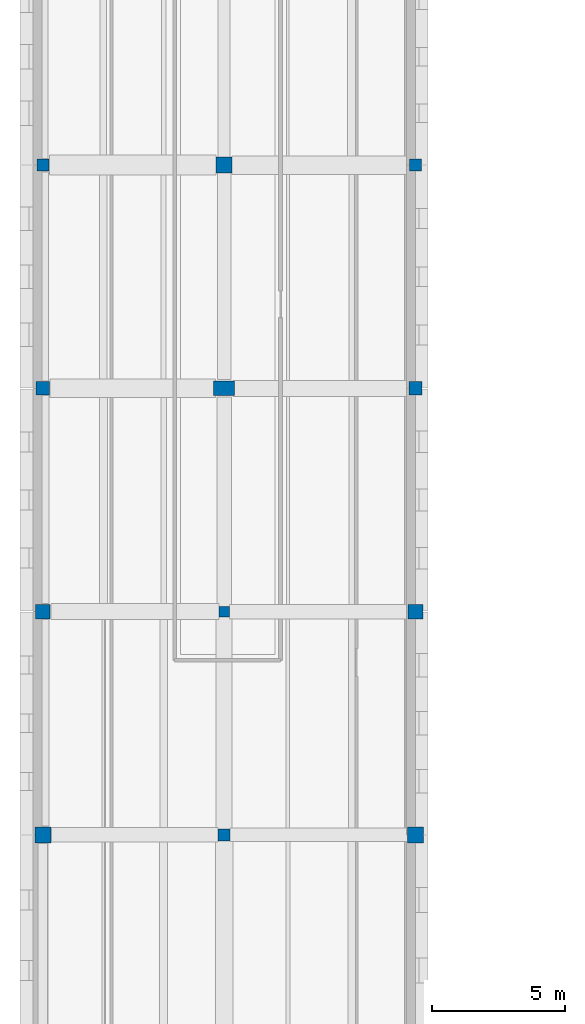
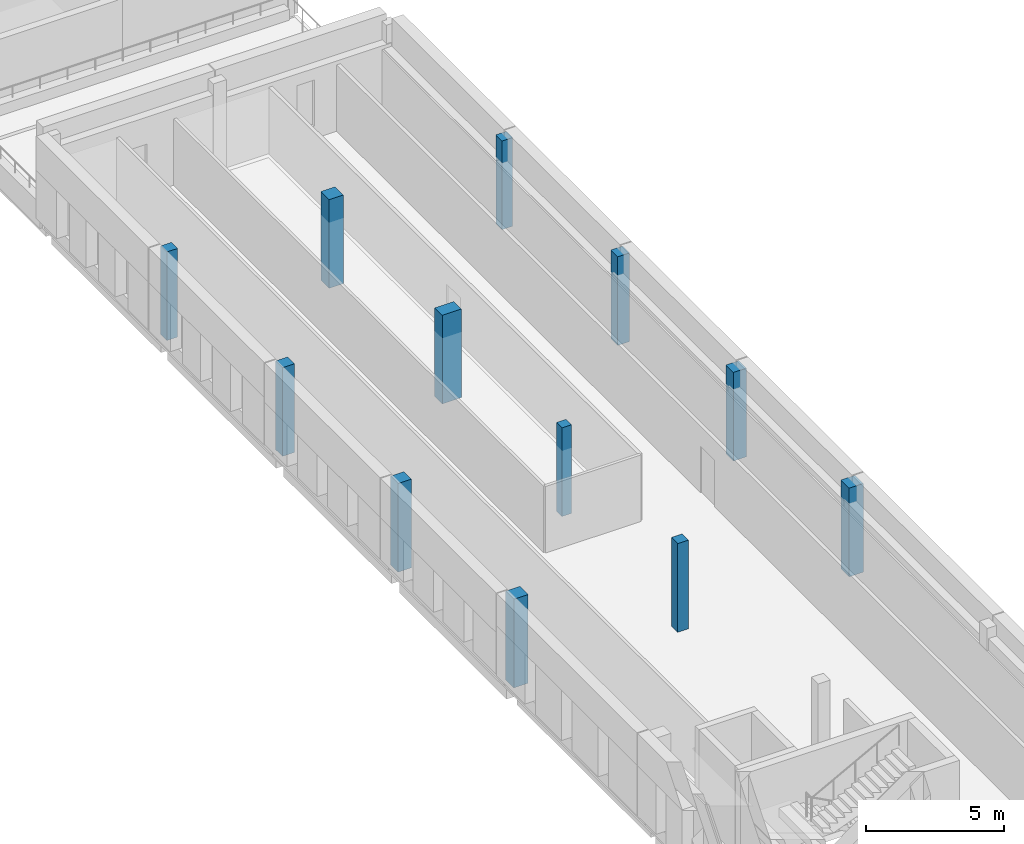
# One storey, part 3 of 56: 12 columns.
"""IFC4 building model written with IfcOpenShell, lengths in metres."""

from ifc_helpers import new_model, si_unit, direction, frame, origin, origin_2d, place, context, subcontext, project, spatial, rectangle, extrude, material, material_profile, profile_set, type_object, element, save


model = new_model("IFC4")

# Units and contexts
model_context = context("Model", 3, precision=1e-05, world=origin(), true_north=direction((0.0, 1.0)))
body_context = subcontext(model_context, "Body", "Model", "MODEL_VIEW")
ifc_project = project(units=[si_unit("LENGTHUNIT", "METRE"), si_unit("AREAUNIT", "SQUARE_METRE"), si_unit("VOLUMEUNIT", "CUBIC_METRE"), si_unit("PLANEANGLEUNIT", "RADIAN"), si_unit("MASSUNIT", "GRAM", prefix="KILO")], contexts=[model_context])

# Site, building, storey
site_placement = place(None, origin())
site = spatial("IfcSite", under=ifc_project, at=site_placement, CompositionType="ELEMENT")
building_placement = place(site_placement, origin())
building = spatial("IfcBuilding", under=site, at=building_placement, Name="Vardoun Plaza Health Centre", CompositionType="ELEMENT")
storey_placement = place(building_placement, frame((0.0, 0.0, 8.699951171875)))
storey = spatial("IfcBuildingStorey", under=building, at=storey_placement, Name="L02", CompositionType="ELEMENT", Elevation=8.699951171875)

# Columns
ifc_material_1 = material(Name="Concrete C40/50", Category="concrete")
ifc_material_profile_1 = material_profile(ifc_material_1, rectangle(XDim=0.39990234375, YDim=0.39990234375, at=origin_2d()), Name="RC-COL 400x400")
ifc_profile_set_1 = profile_set([ifc_material_profile_1], Name="Concrete C40/50")
column_type_1 = type_object("IfcColumnType", Name="C-08", PredefinedType="COLUMN", material=ifc_profile_set_1)
column_1_placement = place(storey_placement, frame((11.699951171875, 44.699951171875, 0.0), z_axis=(0.0, 0.0, 1.0), x_axis=(1.0, 0.0, 0.0)))
element("IfcColumn", 1, at=column_1_placement, inside=storey, type_object=column_type_1, Name="V2 L02 Column C-V2-15", PredefinedType="COLUMN", context=body_context, shape_type="SweptSolid", body=[
    extrude(rectangle(XDim=0.39990234375, YDim=0.39990234375, at=origin_2d()), origin(), (0.0, 0.0, 1.0), 3.920166015625),
])
ifc_material_2 = material(Name="Concrete C40/50", Category="concrete")
ifc_material_profile_2 = material_profile(ifc_material_2, rectangle(XDim=0.449951171875, YDim=0.449951171875, at=origin_2d()), Name="RC-COL 450x450")
ifc_profile_set_2 = profile_set([ifc_material_profile_2], Name="Concrete C40/50")
column_type_2 = type_object("IfcColumnType", Name="C-07", PredefinedType="COLUMN", material=ifc_profile_set_2)
for number, where, z_axis, x_axis, name in (
    (2, (4.8798828125, 61.5, 0.0), (0.0, 0.0, 1.0), (1.0, 0.0, 0.0), "V2 L02 Column C-V2-08"),
    (3, (11.699951171875, 36.300048828125, 0.0), (0.0, 0.0, 1.0), (1.0, 0.0, 0.0), "V2 L02 Column C-V2-14"),
    (4, (18.89990234375, 61.5, 0.0), (0.0, 0.0, 1.0), (1.0, 0.0, 0.0), "V2 L02 Column C-V2-26"),
):
    element("IfcColumn", number, at=place(storey_placement, frame(where, z_axis=z_axis, x_axis=x_axis)), inside=storey, type_object=column_type_2, Name=name, PredefinedType="COLUMN", context=body_context, shape_type="SweptSolid", body=[
        extrude(rectangle(XDim=0.449951171875, YDim=0.449951171875, at=origin_2d()), origin(), (0.0, 0.0, 1.0), 3.920166015625),
    ])
ifc_material_3 = material(Name="Concrete C40/50", Category="concrete")
ifc_material_profile_3 = material_profile(ifc_material_3, rectangle(XDim=0.5, YDim=0.5, at=origin_2d()), Name="RC-COL 500x500")
ifc_profile_set_3 = profile_set([ifc_material_profile_3], Name="Concrete C40/50")
column_type_3 = type_object("IfcColumnType", Name="C-06", PredefinedType="COLUMN", material=ifc_profile_set_3)
for number, where, z_axis, x_axis, name in (
    (5, (4.8798828125, 53.10009765625, 0.0), (0.0, 0.0, 1.0), (1.0, 0.0, 0.0), "V2 L02 Column C-V2-07"),
    (6, (18.89990234375, 53.10009765625, 0.0), (0.0, 0.0, 1.0), (1.0, 0.0, 0.0), "V2 L02 Column C-V2-25"),
):
    element("IfcColumn", number, at=place(storey_placement, frame(where, z_axis=z_axis, x_axis=x_axis)), inside=storey, type_object=column_type_3, Name=name, PredefinedType="COLUMN", context=body_context, shape_type="SweptSolid", body=[
        extrude(rectangle(XDim=0.5, YDim=0.5, at=origin_2d()), origin(), (0.0, 0.0, 1.0), 3.920166015625),
    ])
ifc_material_4 = material(Name="Concrete C40/50", Category="concrete")
ifc_material_profile_4 = material_profile(ifc_material_4, rectangle(XDim=0.550048828125, YDim=0.550048828125, at=origin_2d()), Name="RC-COL 550x550")
ifc_profile_set_4 = profile_set([ifc_material_profile_4], Name="Concrete C40/50")
column_type_4 = type_object("IfcColumnType", Name="C-05", PredefinedType="COLUMN", material=ifc_profile_set_4)
for number, where, z_axis, x_axis, name in (
    (7, (4.8798828125, 44.699951171875, 0.0), (0.0, 0.0, 1.0), (1.0, 0.0, 0.0), "V2 L02 Column C-V2-06"),
    (8, (18.89990234375, 44.699951171875, 0.0), (0.0, 0.0, 1.0), (1.0, 0.0, 0.0), "V2 L02 Column C-V2-24"),
):
    element("IfcColumn", number, at=place(storey_placement, frame(where, z_axis=z_axis, x_axis=x_axis)), inside=storey, type_object=column_type_4, Name=name, PredefinedType="COLUMN", context=body_context, shape_type="SweptSolid", body=[
        extrude(rectangle(XDim=0.550048828125, YDim=0.550048828125, at=origin_2d()), origin(), (0.0, 0.0, 1.0), 3.920166015625),
    ])
ifc_material_5 = material(Name="Concrete C40/50", Category="concrete")
ifc_material_profile_5 = material_profile(ifc_material_5, rectangle(XDim=0.60009765625, YDim=0.60009765625, at=origin_2d()), Name="RC-COL 600x600")
ifc_profile_set_5 = profile_set([ifc_material_profile_5], Name="Concrete C40/50")
column_type_5 = type_object("IfcColumnType", Name="C-04", PredefinedType="COLUMN", material=ifc_profile_set_5)
for number, where, z_axis, x_axis, name in (
    (9, (4.8798828125, 36.300048828125, 0.0), (0.0, 0.0, 1.0), (1.0, 0.0, 0.0), "V2 L02 Column C-V2-05"),
    (10, (11.699951171875, 61.5, 0.0), (0.0, 0.0, 1.0), (1.0, 0.0, 0.0), "V2 L02 Column C-V2-17"),
    (11, (18.89990234375, 36.300048828125, 0.0), (0.0, 0.0, 1.0), (1.0, 0.0, 0.0), "V2 L02 Column C-V2-23"),
):
    element("IfcColumn", number, at=place(storey_placement, frame(where, z_axis=z_axis, x_axis=x_axis)), inside=storey, type_object=column_type_5, Name=name, PredefinedType="COLUMN", context=body_context, shape_type="SweptSolid", body=[
        extrude(rectangle(XDim=0.60009765625, YDim=0.60009765625, at=origin_2d()), origin(), (0.0, 0.0, 1.0), 3.920166015625),
    ])
ifc_material_6 = material(Name="Concrete C40/50", Category="concrete")
ifc_material_profile_6 = material_profile(ifc_material_6, rectangle(XDim=0.800048828125, YDim=0.550048828125, at=origin_2d()), Name="RC-COL 800x550")
ifc_profile_set_6 = profile_set([ifc_material_profile_6], Name="Concrete C40/50")
column_type_6 = type_object("IfcColumnType", Name="C-09", PredefinedType="COLUMN", material=ifc_profile_set_6)
column_2_placement = place(storey_placement, frame((11.699951171875, 53.10009765625, 0.0), z_axis=(0.0, 0.0, 1.0), x_axis=(1.0, 0.0, 0.0)))
element("IfcColumn", 12, at=column_2_placement, inside=storey, type_object=column_type_6, Name="V2 L02 Column C-V2-16", PredefinedType="COLUMN", context=body_context, shape_type="SweptSolid", body=[
    extrude(rectangle(XDim=0.800048828125, YDim=0.550048828125, at=origin_2d()), origin(), (0.0, 0.0, 1.0), 3.920166015625),
])

save(model, "model.ifc")
